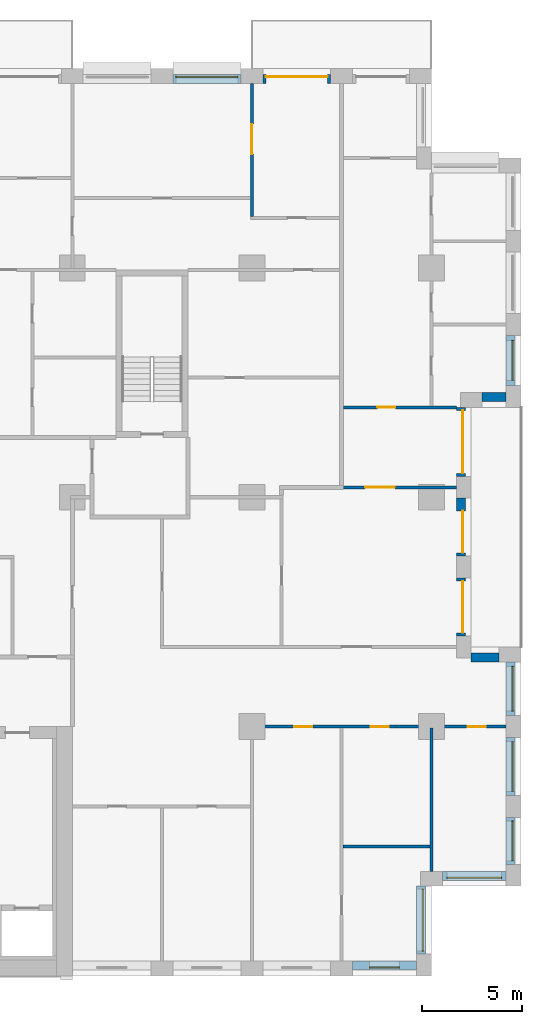
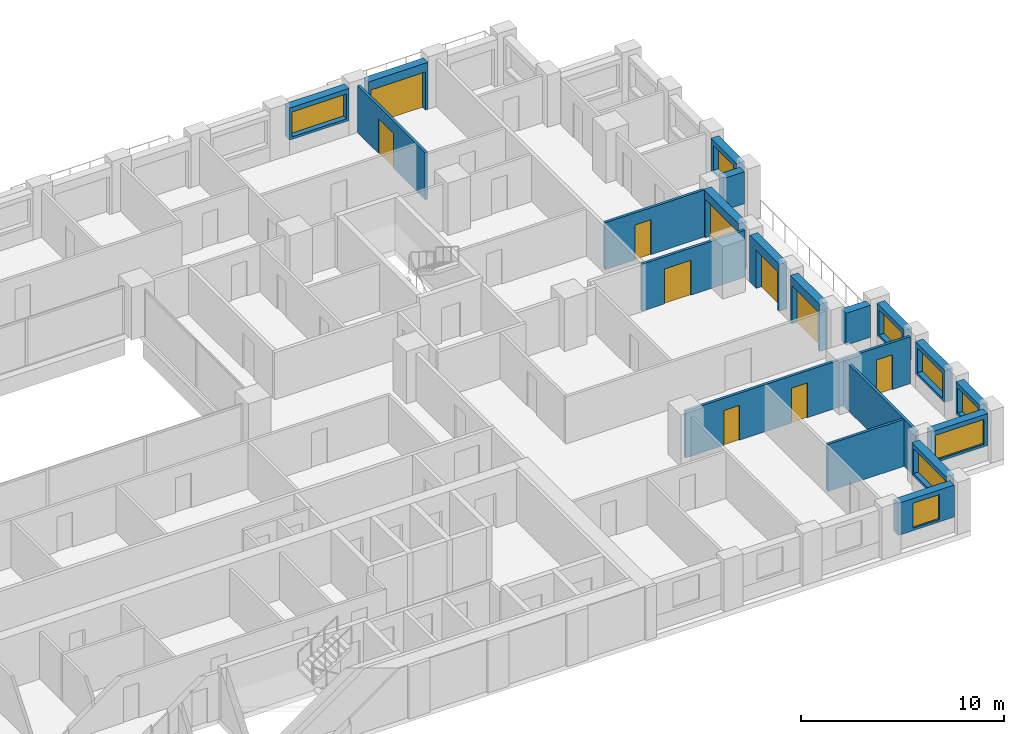
# One storey, part 14 of 17: 20 walls, 10 doors, 8 windows, 18 openings.
"""IFC4 building model written with IfcOpenShell, lengths in metres."""

from ifc_helpers import new_model, si_unit, direction, frame, frame_2d, origin, place, context, subcontext, project, spatial, rectangle, extrude, material, layer, layer_set, type_object, element, fill, save


model = new_model("IFC4")

# Units and contexts
model_context = context("Model", 3, precision=1e-05, world=origin(), true_north=direction((0.0, 1.0)))
body_context = subcontext(model_context, "Body", "Model", "MODEL_VIEW")
ifc_project = project(units=[si_unit("LENGTHUNIT", "METRE"), si_unit("AREAUNIT", "SQUARE_METRE"), si_unit("VOLUMEUNIT", "CUBIC_METRE"), si_unit("PLANEANGLEUNIT", "RADIAN"), si_unit("MASSUNIT", "GRAM", prefix="KILO")], contexts=[model_context])

# Site, building, storey
site_placement = place(None, origin())
site = spatial("IfcSite", under=ifc_project, at=site_placement, CompositionType="ELEMENT")
building_placement = place(site_placement, origin())
building = spatial("IfcBuilding", under=site, at=building_placement, Name="Brigalow Station Residences", CompositionType="ELEMENT")
storey_placement = place(building_placement, frame((0.0, 0.0, 111.89990234375)))
storey = spatial("IfcBuildingStorey", under=building, at=storey_placement, Name="L32", CompositionType="ELEMENT", Elevation=111.89990234375)

# Wall, opening, window
ifc_material_1 = material(Name="Clay brick masonry", Category="masonry")
ifc_layer_1 = layer(ifc_material_1, 0.449951171875)
ifc_layer_set_1 = layer_set([ifc_layer_1], Name="BRICK INFILL WALL 450")
wall_type_1 = type_object("IfcWallType", Name="BRICK INFILL WALL 450", PredefinedType="SOLIDWALL", material=ifc_layer_set_1)
wall_1_placement = place(storey_placement, frame((68.050048828125, 0.52490234375, 0.900146484375), z_axis=(0.0, 0.0, 1.0), x_axis=(1.0, 0.0, 0.0)))
wall_1 = element("IfcWall", 1, at=wall_1_placement, inside=storey, type_object=wall_type_1, Name="L32/ewall/W-L32-7", PredefinedType="SOLIDWALL", context=body_context, shape_type="SweptSolid", body=[
    extrude(rectangle(XDim=3.199951171875, YDim=0.449951171875, at=frame_2d((1.60009765625, 0.0))), origin(), (0.0, 0.0, 1.0), 1.929931640625),
])
opening_1_placement = place(wall_1_placement, frame((0.85009765625, 0.0, 0.14990234375)))
opening_1 = element("IfcOpeningElement", 2, at=opening_1_placement, cuts=wall_1, Name="Opening WT-1", PredefinedType="OPENING", context=body_context, shape_type="SweptSolid", body=[
    extrude(rectangle(XDim=1.5, YDim=1.5, at=frame_2d((0.75, 0.75))), frame((0.0, 0.23486328125, 0.0), z_axis=(0.0, -1.0, 0.0), x_axis=(1.0, 0.0, 0.0)), (0.0, 0.0, 1.0), 0.469970703125),
])
ifc_material_2 = material(Name="Anodised aluminium frame with double glazing", Category="aluminium")
window_type_1 = type_object("IfcWindowType", Name="WINDOW 1500x1500", PartitioningType="SINGLE_PANEL", PredefinedType="WINDOW", material=ifc_material_2)
window_1_placement = place(opening_1_placement, origin())
window_1 = element("IfcWindow", 3, at=window_1_placement, inside=storey, type_object=window_type_1, Name="L32/window/W-L32-7", OverallHeight=1.5, OverallWidth=1.5, PartitioningType="SINGLE_PANEL", PredefinedType="WINDOW", context=body_context, shape_type="SweptSolid", body=[
    extrude(rectangle(XDim=1.5, YDim=1.5, at=frame_2d((0.75, 0.75))), frame((0.0, -0.06494140625, 0.0), z_axis=(0.0, -1.0, 0.0), x_axis=(1.0, 0.0, 0.0)), (0.0, 0.0, 1.0), 0.06005859375),
])
fill(opening_1, window_1)

wall_2_placement = place(storey_placement, frame((71.47509765625, 1.10009765625, 0.900146484375), z_axis=(0.0, 0.0, 1.0), x_axis=(0.0, 1.0, 0.0)))
wall_2 = element("IfcWall", 4, at=wall_2_placement, inside=storey, type_object=wall_type_1, Name="L32/ewall/W-L32-8", PredefinedType="SOLIDWALL", context=body_context, shape_type="SweptSolid", body=[
    extrude(rectangle(XDim=3.39990234375, YDim=0.449951171875, at=frame_2d((1.699951171875, 0.0))), origin(), (0.0, 0.0, 1.0), 1.929931640625),
])
opening_2_placement = place(wall_2_placement, frame((0.14990234375, 0.0, 0.14990234375)))
opening_2 = element("IfcOpeningElement", 5, at=opening_2_placement, cuts=wall_2, Name="Opening WT-8", PredefinedType="OPENING", context=body_context, shape_type="SweptSolid", body=[
    extrude(rectangle(XDim=3.10009765625, YDim=1.5, at=frame_2d((1.550048828125, 0.75))), frame((0.0, 0.23486328125, 0.0), z_axis=(0.0, -1.0, 0.0), x_axis=(1.0, 0.0, 0.0)), (0.0, 0.0, 1.0), 0.469970703125),
])
ifc_material_3 = material(Name="Anodised aluminium frame with double glazing", Category="aluminium")
window_type_2 = type_object("IfcWindowType", Name="WINDOW 3100x1500", PartitioningType="SINGLE_PANEL", PredefinedType="WINDOW", material=ifc_material_3)
window_2_placement = place(opening_2_placement, origin())
window_2 = element("IfcWindow", 6, at=window_2_placement, inside=storey, type_object=window_type_2, Name="L32/window/W-L32-8", OverallHeight=1.5, OverallWidth=3.10009765625, PartitioningType="SINGLE_PANEL", PredefinedType="WINDOW", context=body_context, shape_type="SweptSolid", body=[
    extrude(rectangle(XDim=3.10009765625, YDim=1.5, at=frame_2d((1.550048828125, 0.75))), frame((0.0, -0.06494140625, 0.0), z_axis=(0.0, -1.0, 0.0), x_axis=(1.0, 0.0, 0.0)), (0.0, 0.0, 1.0), 0.06005859375),
])
fill(opening_2, window_2)

wall_3_placement = place(storey_placement, frame((72.550048828125, 5.02490234375, 0.900146484375), z_axis=(0.0, 0.0, 1.0), x_axis=(1.0, 0.0, 0.0)))
wall_3 = element("IfcWall", 7, at=wall_3_placement, inside=storey, type_object=wall_type_1, Name="L32/ewall/W-L32-9", PredefinedType="SOLIDWALL", context=body_context, shape_type="SweptSolid", body=[
    extrude(rectangle(XDim=3.199951171875, YDim=0.449951171875, at=frame_2d((1.60009765625, 0.0))), origin(), (0.0, 0.0, 1.0), 1.929931640625),
])
opening_3_placement = place(wall_3_placement, frame((0.22509765625, 0.0, 0.14990234375)))
opening_3 = element("IfcOpeningElement", 8, at=opening_3_placement, cuts=wall_3, Name="Opening WT-3", PredefinedType="OPENING", context=body_context, shape_type="SweptSolid", body=[
    extrude(rectangle(XDim=2.75, YDim=1.5, at=frame_2d((1.375, 0.75))), frame((0.0, 0.23486328125, 0.0), z_axis=(0.0, -1.0, 0.0), x_axis=(1.0, 0.0, 0.0)), (0.0, 0.0, 1.0), 0.469970703125),
])
ifc_material_4 = material(Name="Anodised aluminium frame with double glazing", Category="aluminium")
window_type_3 = type_object("IfcWindowType", Name="WINDOW 2750x1500", PartitioningType="SINGLE_PANEL", PredefinedType="WINDOW", material=ifc_material_4)
window_3_placement = place(opening_3_placement, origin())
window_3 = element("IfcWindow", 9, at=window_3_placement, inside=storey, type_object=window_type_3, Name="L32/window/W-L32-9", OverallHeight=1.5, OverallWidth=2.75, PartitioningType="SINGLE_PANEL", PredefinedType="WINDOW", context=body_context, shape_type="SweptSolid", body=[
    extrude(rectangle(XDim=2.75, YDim=1.5, at=frame_2d((1.375, 0.75))), frame((0.0, -0.06494140625, 0.0), z_axis=(0.0, -1.0, 0.0), x_axis=(1.0, 0.0, 0.0)), (0.0, 0.0, 1.0), 0.06005859375),
])
fill(opening_3, window_3)

wall_4_placement = place(storey_placement, frame((75.97509765625, 5.60009765625, 0.900146484375), z_axis=(0.0, 0.0, 1.0), x_axis=(0.0, 1.0, 0.0)))
wall_4 = element("IfcWall", 10, at=wall_4_placement, inside=storey, type_object=wall_type_1, Name="L32/ewall/W-L32-10", PredefinedType="SOLIDWALL", context=body_context, shape_type="SweptSolid", body=[
    extrude(rectangle(XDim=2.349853515625, YDim=0.449951171875, at=frame_2d((1.1748046875, 0.0))), origin(), (0.0, 0.0, 1.0), 1.929931640625),
])
opening_4_placement = place(wall_4_placement, frame((0.175048828125, 0.0, 0.14990234375)))
opening_4 = element("IfcOpeningElement", 11, at=opening_4_placement, cuts=wall_4, Name="Opening WT-7", PredefinedType="OPENING", context=body_context, shape_type="SweptSolid", body=[
    extrude(rectangle(XDim=2.0, YDim=1.5, at=frame_2d((1.0, 0.75))), frame((0.0, 0.23486328125, 0.0), z_axis=(0.0, -1.0, 0.0), x_axis=(1.0, 0.0, 0.0)), (0.0, 0.0, 1.0), 0.469970703125),
])
ifc_material_5 = material(Name="Anodised aluminium frame with double glazing", Category="aluminium")
window_type_4 = type_object("IfcWindowType", Name="WINDOW 2000x1500", PartitioningType="SINGLE_PANEL", PredefinedType="WINDOW", material=ifc_material_5)
window_4_placement = place(opening_4_placement, origin())
window_4 = element("IfcWindow", 12, at=window_4_placement, inside=storey, type_object=window_type_4, Name="L32/window/W-L32-10", OverallHeight=1.5, OverallWidth=2.0, PartitioningType="SINGLE_PANEL", PredefinedType="WINDOW", context=body_context, shape_type="SweptSolid", body=[
    extrude(rectangle(XDim=2.0, YDim=1.5, at=frame_2d((1.0, 0.75))), frame((0.0, -0.06494140625, 0.0), z_axis=(0.0, -1.0, 0.0), x_axis=(1.0, 0.0, 0.0)), (0.0, 0.0, 1.0), 0.06005859375),
])
fill(opening_4, window_4)

wall_5_placement = place(storey_placement, frame((75.97509765625, 9.050048828125, 0.900146484375), z_axis=(0.0, 0.0, 1.0), x_axis=(0.0, 1.0, 0.0)))
wall_5 = element("IfcWall", 13, at=wall_5_placement, inside=storey, type_object=wall_type_1, Name="L32/ewall/W-L32-11", PredefinedType="SOLIDWALL", context=body_context, shape_type="SweptSolid", body=[
    extrude(rectangle(XDim=2.89990234375, YDim=0.449951171875, at=frame_2d((1.449951171875, 0.0))), origin(), (0.0, 0.0, 1.0), 1.929931640625),
])
opening_5_placement = place(wall_5_placement, frame((0.199951171875, 0.0, 0.14990234375)))
opening_5 = element("IfcOpeningElement", 14, at=opening_5_placement, cuts=wall_5, Name="Opening WT-5", PredefinedType="OPENING", context=body_context, shape_type="SweptSolid", body=[
    extrude(rectangle(XDim=2.5, YDim=1.5, at=frame_2d((1.25, 0.75))), frame((0.0, 0.23486328125, 0.0), z_axis=(0.0, -1.0, 0.0), x_axis=(1.0, 0.0, 0.0)), (0.0, 0.0, 1.0), 0.469970703125),
])
ifc_material_6 = material(Name="Anodised aluminium frame with double glazing", Category="aluminium")
window_type_5 = type_object("IfcWindowType", Name="WINDOW 2500x1500", PartitioningType="SINGLE_PANEL", PredefinedType="WINDOW", material=ifc_material_6)
window_5_placement = place(opening_5_placement, origin())
window_5 = element("IfcWindow", 15, at=window_5_placement, inside=storey, type_object=window_type_5, Name="L32/window/W-L32-11", OverallHeight=1.5, OverallWidth=2.5, PartitioningType="SINGLE_PANEL", PredefinedType="WINDOW", context=body_context, shape_type="SweptSolid", body=[
    extrude(rectangle(XDim=2.5, YDim=1.5, at=frame_2d((1.25, 0.75))), frame((0.0, -0.06494140625, 0.0), z_axis=(0.0, -1.0, 0.0), x_axis=(1.0, 0.0, 0.0)), (0.0, 0.0, 1.0), 0.06005859375),
])
fill(opening_5, window_5)

wall_6_placement = place(storey_placement, frame((75.97509765625, 13.050048828125, 0.900146484375), z_axis=(0.0, 0.0, 1.0), x_axis=(0.0, 1.0, 0.0)))
wall_6 = element("IfcWall", 16, at=wall_6_placement, inside=storey, type_object=wall_type_1, Name="L32/ewall/W-L32-12", PredefinedType="SOLIDWALL", context=body_context, shape_type="SweptSolid", body=[
    extrude(rectangle(XDim=2.699951171875, YDim=0.449951171875, at=frame_2d((1.35009765625, 0.0))), origin(), (0.0, 0.0, 1.0), 1.929931640625),
])
opening_6_placement = place(wall_6_placement, frame((0.22509765625, 0.0, 0.14990234375)))
opening_6 = element("IfcOpeningElement", 17, at=opening_6_placement, cuts=wall_6, Name="Opening WT-6", PredefinedType="OPENING", context=body_context, shape_type="SweptSolid", body=[
    extrude(rectangle(XDim=2.25, YDim=1.5, at=frame_2d((1.125, 0.75))), frame((0.0, 0.23486328125, 0.0), z_axis=(0.0, -1.0, 0.0), x_axis=(1.0, 0.0, 0.0)), (0.0, 0.0, 1.0), 0.469970703125),
])
ifc_material_7 = material(Name="Anodised aluminium frame with double glazing", Category="aluminium")
window_type_6 = type_object("IfcWindowType", Name="WINDOW 2250x1500", PartitioningType="SINGLE_PANEL", PredefinedType="WINDOW", material=ifc_material_7)
window_6_placement = place(opening_6_placement, origin())
window_6 = element("IfcWindow", 18, at=window_6_placement, inside=storey, type_object=window_type_6, Name="L32/window/W-L32-12", OverallHeight=1.5, OverallWidth=2.25, PartitioningType="SINGLE_PANEL", PredefinedType="WINDOW", context=body_context, shape_type="SweptSolid", body=[
    extrude(rectangle(XDim=2.25, YDim=1.5, at=frame_2d((1.125, 0.75))), frame((0.0, -0.06494140625, 0.0), z_axis=(0.0, -1.0, 0.0), x_axis=(1.0, 0.0, 0.0)), (0.0, 0.0, 1.0), 0.06005859375),
])
fill(opening_6, window_6)

# Wall
wall_7_placement = place(storey_placement, frame((75.39990234375, 15.97509765625, 0.900146484375), z_axis=(0.0, 0.0, 1.0), x_axis=(-1.0, 0.0, 0.0)))
element("IfcWall", 19, at=wall_7_placement, inside=storey, type_object=wall_type_1, Name="L32/ewall/W-L32-13", PredefinedType="SOLIDWALL", context=body_context, shape_type="SweptSolid", body=[
    extrude(rectangle(XDim=1.39990234375, YDim=0.449951171875, at=frame_2d((0.699951171875, 0.0))), origin(), (0.0, 0.0, 1.0), 1.929931640625),
])

# Wall, opening, door
wall_8_placement = place(storey_placement, frame((73.47509765625, 17.050048828125, 0.0), z_axis=(0.0, 0.0, 1.0), x_axis=(0.0, 1.0, 0.0)))
wall_8 = element("IfcWall", 20, at=wall_8_placement, inside=storey, type_object=wall_type_1, Name="L32/ewall/W-L32-14", PredefinedType="SOLIDWALL", context=body_context, shape_type="SweptSolid", body=[
    extrude(rectangle(XDim=2.89990234375, YDim=0.449951171875, at=frame_2d((1.449951171875, 0.0))), origin(), (0.0, 0.0, 1.0), 2.830078125),
])
opening_7_placement = place(wall_8_placement, frame((0.14990234375, 0.0, 0.0)))
opening_7 = element("IfcOpeningElement", 21, at=opening_7_placement, cuts=wall_8, Name="Opening D-B2600", PredefinedType="OPENING", context=body_context, shape_type="SweptSolid", body=[
    extrude(rectangle(XDim=2.60009765625, YDim=2.300048828125, at=frame_2d((1.300048828125, 1.14990234375))), frame((0.0, 0.23486328125, 0.0), z_axis=(0.0, -1.0, 0.0), x_axis=(1.0, 0.0, 0.0)), (0.0, 0.0, 1.0), 0.469970703125),
])
ifc_material_8 = material(Name="Anodised aluminium frame with double glazing", Category="aluminium")
door_type_1 = type_object("IfcDoorType", Name="BALCONY SLIDING DOOR 2600x2300", OperationType="SLIDING_TO_LEFT", PredefinedType="DOOR", material=ifc_material_8)
door_1_placement = place(opening_7_placement, origin())
door_1 = element("IfcDoor", 22, at=door_1_placement, inside=storey, type_object=door_type_1, Name="L32/balcony-door/W-L32-14", OperationType="SLIDING_TO_LEFT", OverallHeight=2.300048828125, OverallWidth=2.60009765625, PredefinedType="DOOR", context=body_context, shape_type="SweptSolid", body=[
    extrude(rectangle(XDim=2.60009765625, YDim=2.300048828125, at=frame_2d((1.300048828125, 1.14990234375))), frame((0.0, -0.06982421875, 0.0), z_axis=(0.0, -1.0, 0.0), x_axis=(1.0, 0.0, 0.0)), (0.0, 0.0, 1.0), 0.050048828125),
])
fill(opening_7, door_1)

wall_9_placement = place(storey_placement, frame((73.47509765625, 21.050048828125, 0.0), z_axis=(0.0, 0.0, 1.0), x_axis=(0.0, 1.0, 0.0)))
wall_9 = element("IfcWall", 23, at=wall_9_placement, inside=storey, type_object=wall_type_1, Name="L32/ewall/W-L32-15", PredefinedType="SOLIDWALL", context=body_context, shape_type="SweptSolid", body=[
    extrude(rectangle(XDim=2.89990234375, YDim=0.449951171875, at=frame_2d((1.449951171875, 0.0))), origin(), (0.0, 0.0, 1.0), 2.830078125),
])
opening_8_placement = place(wall_9_placement, frame((0.1650390625, 0.0, 0.0)))
opening_8 = element("IfcOpeningElement", 24, at=opening_8_placement, cuts=wall_9, Name="Opening D-B2100", PredefinedType="OPENING", context=body_context, shape_type="SweptSolid", body=[
    extrude(rectangle(XDim=2.10009765625, YDim=2.300048828125, at=frame_2d((1.050048828125, 1.14990234375))), frame((0.0, 0.23486328125, 0.0), z_axis=(0.0, -1.0, 0.0), x_axis=(1.0, 0.0, 0.0)), (0.0, 0.0, 1.0), 0.469970703125),
])
ifc_material_9 = material(Name="Anodised aluminium frame with double glazing", Category="aluminium")
door_type_2 = type_object("IfcDoorType", Name="BALCONY SLIDING DOOR 2100x2300", OperationType="SLIDING_TO_LEFT", PredefinedType="DOOR", material=ifc_material_9)
door_2_placement = place(opening_8_placement, origin())
door_2 = element("IfcDoor", 25, at=door_2_placement, inside=storey, type_object=door_type_2, Name="L32/balcony-door/W-L32-15", OperationType="SLIDING_TO_LEFT", OverallHeight=2.300048828125, OverallWidth=2.10009765625, PredefinedType="DOOR", context=body_context, shape_type="SweptSolid", body=[
    extrude(rectangle(XDim=2.10009765625, YDim=2.300048828125, at=frame_2d((1.050048828125, 1.14990234375))), frame((0.0, -0.06982421875, 0.0), z_axis=(0.0, -1.0, 0.0), x_axis=(1.0, 0.0, 0.0)), (0.0, 0.0, 1.0), 0.050048828125),
])
fill(opening_8, door_2)

wall_10_placement = place(storey_placement, frame((73.47509765625, 25.050048828125, 0.0), z_axis=(0.0, 0.0, 1.0), x_axis=(0.0, 1.0, 0.0)))
wall_10 = element("IfcWall", 26, at=wall_10_placement, inside=storey, type_object=wall_type_1, Name="L32/ewall/W-L32-16", PredefinedType="SOLIDWALL", context=body_context, shape_type="SweptSolid", body=[
    extrude(rectangle(XDim=3.449951171875, YDim=0.449951171875, at=frame_2d((1.72509765625, 0.0))), origin(), (0.0, 0.0, 1.0), 2.830078125),
])
opening_9_placement = place(wall_10_placement, frame((0.14990234375, 0.0, 0.0)))
opening_9 = element("IfcOpeningElement", 27, at=opening_9_placement, cuts=wall_10, Name="Opening D-B3150", PredefinedType="OPENING", context=body_context, shape_type="SweptSolid", body=[
    extrude(rectangle(XDim=3.14990234375, YDim=2.300048828125, at=frame_2d((1.574951171875, 1.14990234375))), frame((0.0, 0.23486328125, 0.0), z_axis=(0.0, -1.0, 0.0), x_axis=(1.0, 0.0, 0.0)), (0.0, 0.0, 1.0), 0.469970703125),
])
ifc_material_10 = material(Name="Anodised aluminium frame with double glazing", Category="aluminium")
door_type_3 = type_object("IfcDoorType", Name="BALCONY SLIDING DOOR 3150x2300", OperationType="SLIDING_TO_LEFT", PredefinedType="DOOR", material=ifc_material_10)
door_3_placement = place(opening_9_placement, origin())
door_3 = element("IfcDoor", 28, at=door_3_placement, inside=storey, type_object=door_type_3, Name="L32/balcony-door/W-L32-16", OperationType="SLIDING_TO_LEFT", OverallHeight=2.300048828125, OverallWidth=3.14990234375, PredefinedType="DOOR", context=body_context, shape_type="SweptSolid", body=[
    extrude(rectangle(XDim=3.14990234375, YDim=2.300048828125, at=frame_2d((1.574951171875, 1.14990234375))), frame((0.0, -0.06982421875, 0.0), z_axis=(0.0, -1.0, 0.0), x_axis=(1.0, 0.0, 0.0)), (0.0, 0.0, 1.0), 0.050048828125),
])
fill(opening_9, door_3)

# Wall
wall_11_placement = place(storey_placement, frame((74.550048828125, 29.02490234375, 0.900146484375), z_axis=(0.0, 0.0, 1.0), x_axis=(1.0, 0.0, 0.0)))
element("IfcWall", 29, at=wall_11_placement, inside=storey, type_object=wall_type_1, Name="L32/ewall/W-L32-17", PredefinedType="SOLIDWALL", context=body_context, shape_type="SweptSolid", body=[
    extrude(rectangle(XDim=1.199951171875, YDim=0.449951171875, at=frame_2d((0.60009765625, 0.0))), origin(), (0.0, 0.0, 1.0), 1.929931640625),
])

# Wall, opening, window
wall_12_placement = place(storey_placement, frame((75.97509765625, 29.60009765625, 0.900146484375), z_axis=(0.0, 0.0, 1.0), x_axis=(0.0, 1.0, 0.0)))
wall_12 = element("IfcWall", 30, at=wall_12_placement, inside=storey, type_object=wall_type_1, Name="L32/ewall/W-L32-18", PredefinedType="SOLIDWALL", context=body_context, shape_type="SweptSolid", body=[
    extrude(rectangle(XDim=2.516845703125, YDim=0.449951171875, at=frame_2d((1.25830078125, 0.0))), origin(), (0.0, 0.0, 1.0), 1.929931640625),
])
opening_10_placement = place(wall_12_placement, frame((0.258544921875, 0.0, 0.14990234375)))
opening_10 = element("IfcOpeningElement", 31, at=opening_10_placement, cuts=wall_12, Name="Opening WT-7", PredefinedType="OPENING", context=body_context, shape_type="SweptSolid", body=[
    extrude(rectangle(XDim=2.0, YDim=1.5, at=frame_2d((1.0, 0.75))), frame((0.0, 0.23486328125, 0.0), z_axis=(0.0, -1.0, 0.0), x_axis=(1.0, 0.0, 0.0)), (0.0, 0.0, 1.0), 0.469970703125),
])
window_7_placement = place(opening_10_placement, origin())
window_7 = element("IfcWindow", 32, at=window_7_placement, inside=storey, type_object=window_type_4, Name="L32/window/W-L32-18", OverallHeight=1.5, OverallWidth=2.0, PartitioningType="SINGLE_PANEL", PredefinedType="WINDOW", context=body_context, shape_type="SweptSolid", body=[
    extrude(rectangle(XDim=2.0, YDim=1.5, at=frame_2d((1.0, 0.75))), frame((0.0, -0.06494140625, 0.0), z_axis=(0.0, -1.0, 0.0), x_axis=(1.0, 0.0, 0.0)), (0.0, 0.0, 1.0), 0.06005859375),
])
fill(opening_10, window_7)

# Wall, opening, door
wall_13_placement = place(storey_placement, frame((66.949951171875, 44.97509765625, 0.0), z_axis=(0.0, 0.0, 1.0), x_axis=(-1.0, 0.0, 0.0)))
wall_13 = element("IfcWall", 33, at=wall_13_placement, inside=storey, type_object=wall_type_1, Name="L32/ewall/W-L32-24", PredefinedType="SOLIDWALL", context=body_context, shape_type="SweptSolid", body=[
    extrude(rectangle(XDim=3.39990234375, YDim=0.449951171875, at=frame_2d((1.699951171875, 0.0))), origin(), (0.0, 0.0, 1.0), 2.830078125),
])
opening_11_placement = place(wall_13_placement, frame((0.14990234375, 0.0, 0.0)))
opening_11 = element("IfcOpeningElement", 34, at=opening_11_placement, cuts=wall_13, Name="Opening D-B3100", PredefinedType="OPENING", context=body_context, shape_type="SweptSolid", body=[
    extrude(rectangle(XDim=3.10009765625, YDim=2.300048828125, at=frame_2d((1.550048828125, 1.14990234375))), frame((0.0, 0.23486328125, 0.0), z_axis=(0.0, -1.0, 0.0), x_axis=(1.0, 0.0, 0.0)), (0.0, 0.0, 1.0), 0.469970703125),
])
ifc_material_11 = material(Name="Anodised aluminium frame with double glazing", Category="aluminium")
door_type_4 = type_object("IfcDoorType", Name="BALCONY SLIDING DOOR 3100x2300", OperationType="SLIDING_TO_LEFT", PredefinedType="DOOR", material=ifc_material_11)
door_4_placement = place(opening_11_placement, origin())
door_4 = element("IfcDoor", 35, at=door_4_placement, inside=storey, type_object=door_type_4, Name="L32/balcony-door/W-L32-24", OperationType="SLIDING_TO_LEFT", OverallHeight=2.300048828125, OverallWidth=3.10009765625, PredefinedType="DOOR", context=body_context, shape_type="SweptSolid", body=[
    extrude(rectangle(XDim=3.10009765625, YDim=2.300048828125, at=frame_2d((1.550048828125, 1.14990234375))), frame((0.0, -0.06982421875, 0.0), z_axis=(0.0, -1.0, 0.0), x_axis=(1.0, 0.0, 0.0)), (0.0, 0.0, 1.0), 0.050048828125),
])
fill(opening_11, door_4)

# Wall, opening, window
wall_14_placement = place(storey_placement, frame((62.449951171875, 44.97509765625, 0.900146484375), z_axis=(0.0, 0.0, 1.0), x_axis=(-1.0, 0.0, 0.0)))
wall_14 = element("IfcWall", 36, at=wall_14_placement, inside=storey, type_object=wall_type_1, Name="L32/ewall/W-L32-25", PredefinedType="SOLIDWALL", context=body_context, shape_type="SweptSolid", body=[
    extrude(rectangle(XDim=3.39990234375, YDim=0.449951171875, at=frame_2d((1.699951171875, 0.0))), origin(), (0.0, 0.0, 1.0), 1.929931640625),
])
opening_12_placement = place(wall_14_placement, frame((0.14990234375, 0.0, 0.14990234375)))
opening_12 = element("IfcOpeningElement", 37, at=opening_12_placement, cuts=wall_14, Name="Opening WT-8", PredefinedType="OPENING", context=body_context, shape_type="SweptSolid", body=[
    extrude(rectangle(XDim=3.10009765625, YDim=1.5, at=frame_2d((1.550048828125, 0.75))), frame((0.0, 0.23486328125, 0.0), z_axis=(0.0, -1.0, 0.0), x_axis=(1.0, 0.0, 0.0)), (0.0, 0.0, 1.0), 0.469970703125),
])
window_8_placement = place(opening_12_placement, origin())
window_8 = element("IfcWindow", 38, at=window_8_placement, inside=storey, type_object=window_type_2, Name="L32/window/W-L32-25", OverallHeight=1.5, OverallWidth=3.10009765625, PartitioningType="SINGLE_PANEL", PredefinedType="WINDOW", context=body_context, shape_type="SweptSolid", body=[
    extrude(rectangle(XDim=3.10009765625, YDim=1.5, at=frame_2d((1.550048828125, 0.75))), frame((0.0, -0.06494140625, 0.0), z_axis=(0.0, -1.0, 0.0), x_axis=(1.0, 0.0, 0.0)), (0.0, 0.0, 1.0), 0.06005859375),
])
fill(opening_12, window_8)

# Wall, openings, doors
ifc_material_12 = material(Name="Plasterboard on steel stud partition", Category="steel")
ifc_layer_2 = layer(ifc_material_12, 0.14990234375)
ifc_layer_set_2 = layer_set([ifc_layer_2], Name="FLAT PARTITION 150")
wall_type_2 = type_object("IfcWallType", Name="FLAT PARTITION 150", PredefinedType="PARTITIONING", material=ifc_layer_set_2)
wall_15_placement = place(storey_placement, frame((62.925048828125, 12.5, 0.0), z_axis=(0.0, 0.0, 1.0), x_axis=(1.0, 0.0, 0.0)))
wall_15 = element("IfcWall", 39, at=wall_15_placement, inside=storey, type_object=wall_type_2, Name="PW-2D11", PredefinedType="PARTITIONING", context=body_context, shape_type="SweptSolid", body=[
    extrude(rectangle(XDim=12.824951171875, YDim=0.14990234375, at=frame_2d((6.41259765625, 0.0))), origin(), (0.0, 0.0, 1.0), 2.830078125),
])
opening_13_placement = place(wall_15_placement, frame((6.050048828125, 0.0, 0.0)))
opening_13 = element("IfcOpeningElement", 40, at=opening_13_placement, cuts=wall_15, Name="Opening D-2D34", PredefinedType="OPENING", context=body_context, shape_type="SweptSolid", body=[
    extrude(rectangle(XDim=0.89990234375, YDim=2.10009765625, at=frame_2d((0.449951171875, 1.050048828125))), frame((0.0, 0.0849609375, 0.0), z_axis=(0.0, -1.0, 0.0), x_axis=(1.0, 0.0, 0.0)), (0.0, 0.0, 1.0), 0.169921875),
])
opening_14_placement = place(wall_15_placement, frame((2.199951171875, 0.0, 0.0)))
opening_14 = element("IfcOpeningElement", 41, at=opening_14_placement, cuts=wall_15, Name="Opening D-2D36", PredefinedType="OPENING", context=body_context, shape_type="SweptSolid", body=[
    extrude(rectangle(XDim=0.89990234375, YDim=2.10009765625, at=frame_2d((0.449951171875, 1.050048828125))), frame((0.0, 0.0849609375, 0.0), z_axis=(0.0, -1.0, 0.0), x_axis=(1.0, 0.0, 0.0)), (0.0, 0.0, 1.0), 0.169921875),
])
opening_15_placement = place(wall_15_placement, frame((10.89990234375, 0.0, 0.0)))
opening_15 = element("IfcOpeningElement", 42, at=opening_15_placement, cuts=wall_15, Name="Opening D-2D38", PredefinedType="OPENING", context=body_context, shape_type="SweptSolid", body=[
    extrude(rectangle(XDim=0.89990234375, YDim=2.10009765625, at=frame_2d((0.449951171875, 1.050048828125))), frame((0.0, 0.0849609375, 0.0), z_axis=(0.0, -1.0, 0.0), x_axis=(1.0, 0.0, 0.0)), (0.0, 0.0, 1.0), 0.169921875),
])
ifc_material_13 = material(Name="Solid-core timber door leaf", Category="wood")
door_type_5 = type_object("IfcDoorType", Name="INTERNAL DOOR 900 x 2100", OperationType="SINGLE_SWING_LEFT", PredefinedType="DOOR", material=ifc_material_13)
door_5_placement = place(opening_13_placement, frame((0.89990234375, 0.0, 0.0), z_axis=(0.0, 0.0, 1.0), x_axis=(-1.0, 0.0, 0.0)))
door_5 = element("IfcDoor", 43, at=door_5_placement, inside=storey, type_object=door_type_5, Name="D-2D34", OperationType="SINGLE_SWING_RIGHT", OverallHeight=2.10009765625, OverallWidth=0.89990234375, PredefinedType="DOOR", context=body_context, shape_type="SweptSolid", body=[
    extrude(rectangle(XDim=0.89990234375, YDim=2.10009765625, at=frame_2d((0.449951171875, 1.050048828125))), frame((0.0, 0.02490234375, 0.0), z_axis=(0.0, -1.0, 0.0), x_axis=(1.0, 0.0, 0.0)), (0.0, 0.0, 1.0), 0.050048828125),
])
fill(opening_13, door_5)
door_6_placement = place(opening_14_placement, frame((0.89990234375, 0.0, 0.0), z_axis=(0.0, 0.0, 1.0), x_axis=(-1.0, 0.0, 0.0)))
door_6 = element("IfcDoor", 44, at=door_6_placement, inside=storey, type_object=door_type_5, Name="D-2D36", OperationType="SINGLE_SWING_LEFT", OverallHeight=2.10009765625, OverallWidth=0.89990234375, PredefinedType="DOOR", context=body_context, shape_type="SweptSolid", body=[
    extrude(rectangle(XDim=0.89990234375, YDim=2.10009765625, at=frame_2d((0.449951171875, 1.050048828125))), frame((0.0, 0.02490234375, 0.0), z_axis=(0.0, -1.0, 0.0), x_axis=(1.0, 0.0, 0.0)), (0.0, 0.0, 1.0), 0.050048828125),
])
fill(opening_14, door_6)
door_7_placement = place(opening_15_placement, frame((0.89990234375, 0.0, 0.0), z_axis=(0.0, 0.0, 1.0), x_axis=(-1.0, 0.0, 0.0)))
door_7 = element("IfcDoor", 45, at=door_7_placement, inside=storey, type_object=door_type_5, Name="D-2D38", OperationType="SINGLE_SWING_LEFT", OverallHeight=2.10009765625, OverallWidth=0.89990234375, PredefinedType="DOOR", context=body_context, shape_type="SweptSolid", body=[
    extrude(rectangle(XDim=0.89990234375, YDim=2.10009765625, at=frame_2d((0.449951171875, 1.050048828125))), frame((0.0, 0.02490234375, 0.0), z_axis=(0.0, -1.0, 0.0), x_axis=(1.0, 0.0, 0.0)), (0.0, 0.0, 1.0), 0.050048828125),
])
fill(opening_15, door_7)

# Wall, opening, door
wall_16_placement = place(storey_placement, frame((67.39990234375, 24.5, 0.0), z_axis=(0.0, 0.0, 1.0), x_axis=(1.0, 0.0, 0.0)))
wall_16 = element("IfcWall", 46, at=wall_16_placement, inside=storey, type_object=wall_type_2, Name="PW-2D17", PredefinedType="PARTITIONING", context=body_context, shape_type="SweptSolid", body=[
    extrude(rectangle(XDim=5.85009765625, YDim=0.14990234375, at=frame_2d((2.925048828125, 0.0))), origin(), (0.0, 0.0, 1.0), 2.830078125),
])
opening_16_placement = place(wall_16_placement, frame((1.27490234375, 0.0, 0.0)))
opening_16 = element("IfcOpeningElement", 47, at=opening_16_placement, cuts=wall_16, Name="Opening D-2D42", PredefinedType="OPENING", context=body_context, shape_type="SweptSolid", body=[
    extrude(rectangle(XDim=1.5, YDim=2.10009765625, at=frame_2d((0.75, 1.050048828125))), frame((0.0, 0.0849609375, 0.0), z_axis=(0.0, -1.0, 0.0), x_axis=(1.0, 0.0, 0.0)), (0.0, 0.0, 1.0), 0.169921875),
])
ifc_material_14 = material(Name="Solid-core timber door leaf", Category="wood")
door_type_6 = type_object("IfcDoorType", Name="INTERNAL DOUBLE DOOR 1500 x 2100", OperationType="DOUBLE_DOOR_SINGLE_SWING", PredefinedType="DOOR", material=ifc_material_14)
door_8_placement = place(opening_16_placement, origin())
door_8 = element("IfcDoor", 48, at=door_8_placement, inside=storey, type_object=door_type_6, Name="D-2D42", OperationType="DOUBLE_DOOR_SINGLE_SWING", OverallHeight=2.10009765625, OverallWidth=1.5, PredefinedType="DOOR", context=body_context, shape_type="SweptSolid", body=[
    extrude(rectangle(XDim=1.5, YDim=2.10009765625, at=frame_2d((0.75, 1.050048828125))), frame((0.0, 0.02490234375, 0.0), z_axis=(0.0, -1.0, 0.0), x_axis=(1.0, 0.0, 0.0)), (0.0, 0.0, 1.0), 0.050048828125),
])
fill(opening_16, door_8)

wall_17_placement = place(storey_placement, frame((67.60009765625, 28.5, 0.0), z_axis=(0.0, 0.0, 1.0), x_axis=(1.0, 0.0, 0.0)))
wall_17 = element("IfcWall", 49, at=wall_17_placement, inside=storey, type_object=wall_type_2, Name="PW-2D20", PredefinedType="PARTITIONING", context=body_context, shape_type="SweptSolid", body=[
    extrude(rectangle(XDim=5.64990234375, YDim=0.14990234375, at=frame_2d((2.824951171875, 0.0))), origin(), (0.0, 0.0, 1.0), 2.830078125),
])
opening_17_placement = place(wall_17_placement, frame((1.699951171875, 0.0, 0.0)))
opening_17 = element("IfcOpeningElement", 50, at=opening_17_placement, cuts=wall_17, Name="Opening D-2D43", PredefinedType="OPENING", context=body_context, shape_type="SweptSolid", body=[
    extrude(rectangle(XDim=0.89990234375, YDim=2.10009765625, at=frame_2d((0.449951171875, 1.050048828125))), frame((0.0, 0.0849609375, 0.0), z_axis=(0.0, -1.0, 0.0), x_axis=(1.0, 0.0, 0.0)), (0.0, 0.0, 1.0), 0.169921875),
])
door_9_placement = place(opening_17_placement, frame((0.89990234375, 0.0, 0.0), z_axis=(0.0, 0.0, 1.0), x_axis=(-1.0, 0.0, 0.0)))
door_9 = element("IfcDoor", 51, at=door_9_placement, inside=storey, type_object=door_type_5, Name="D-2D43", OperationType="SINGLE_SWING_RIGHT", OverallHeight=2.10009765625, OverallWidth=0.89990234375, PredefinedType="DOOR", context=body_context, shape_type="SweptSolid", body=[
    extrude(rectangle(XDim=0.89990234375, YDim=2.10009765625, at=frame_2d((0.449951171875, 1.050048828125))), frame((0.0, 0.02490234375, 0.0), z_axis=(0.0, -1.0, 0.0), x_axis=(1.0, 0.0, 0.0)), (0.0, 0.0, 1.0), 0.050048828125),
])
fill(opening_17, door_9)

# Wall
wall_18_placement = place(storey_placement, frame((67.574951171875, 6.5, 0.0), z_axis=(0.0, 0.0, 1.0), x_axis=(1.0, 0.0, 0.0)))
element("IfcWall", 52, at=wall_18_placement, inside=storey, type_object=wall_type_2, Name="PW-2D35", PredefinedType="PARTITIONING", context=body_context, shape_type="SweptSolid", body=[
    extrude(rectangle(XDim=4.35009765625, YDim=0.14990234375, at=frame_2d((2.175048828125, 0.0))), origin(), (0.0, 0.0, 1.0), 2.830078125),
])

# Wall, opening, door
wall_19_placement = place(storey_placement, frame((63.0, 38.074951171875, 0.0), z_axis=(0.0, 0.0, 1.0), x_axis=(0.0, 1.0, 0.0)))
wall_19 = element("IfcWall", 53, at=wall_19_placement, inside=storey, type_object=wall_type_2, Name="PW-2D59", PredefinedType="PARTITIONING", context=body_context, shape_type="SweptSolid", body=[
    extrude(rectangle(XDim=6.675048828125, YDim=0.14990234375, at=frame_2d((3.33740234375, 0.0))), origin(), (0.0, 0.0, 1.0), 2.830078125),
])
opening_18_placement = place(wall_19_placement, frame((3.125, 0.0, 0.0)))
opening_18 = element("IfcOpeningElement", 54, at=opening_18_placement, cuts=wall_19, Name="Opening D-2D29", PredefinedType="OPENING", context=body_context, shape_type="SweptSolid", body=[
    extrude(rectangle(XDim=1.5, YDim=2.10009765625, at=frame_2d((0.75, 1.050048828125))), frame((0.0, 0.0849609375, 0.0), z_axis=(0.0, -1.0, 0.0), x_axis=(1.0, 0.0, 0.0)), (0.0, 0.0, 1.0), 0.169921875),
])
door_10_placement = place(opening_18_placement, frame((1.5, 0.0, 0.0), z_axis=(0.0, 0.0, 1.0), x_axis=(-1.0, 0.0, 0.0)))
door_10 = element("IfcDoor", 55, at=door_10_placement, inside=storey, type_object=door_type_6, Name="D-2D29", OperationType="DOUBLE_DOOR_SINGLE_SWING", OverallHeight=2.10009765625, OverallWidth=1.5, PredefinedType="DOOR", context=body_context, shape_type="SweptSolid", body=[
    extrude(rectangle(XDim=1.5, YDim=2.10009765625, at=frame_2d((0.75, 1.050048828125))), frame((0.0, 0.02490234375, 0.0), z_axis=(0.0, -1.0, 0.0), x_axis=(1.0, 0.0, 0.0)), (0.0, 0.0, 1.0), 0.050048828125),
])
fill(opening_18, door_10)

# Wall
wall_20_placement = place(storey_placement, frame((72.0, 5.25, 0.0), z_axis=(0.0, 0.0, 1.0), x_axis=(0.0, 1.0, 0.0)))
element("IfcWall", 56, at=wall_20_placement, inside=storey, type_object=wall_type_2, Name="PW-2D66", PredefinedType="PARTITIONING", context=body_context, shape_type="SweptSolid", body=[
    extrude(rectangle(XDim=7.175048828125, YDim=0.14990234375, at=frame_2d((3.58740234375, 0.0))), origin(), (0.0, 0.0, 1.0), 2.830078125),
])

save(model, "model.ifc")
